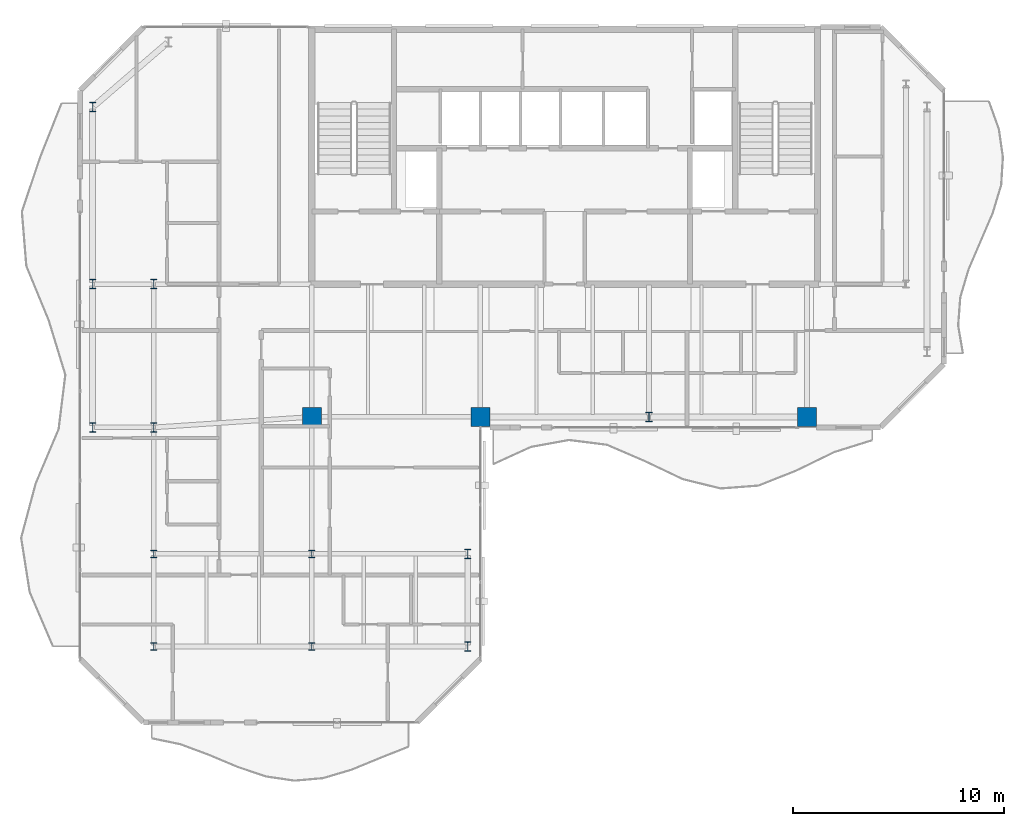
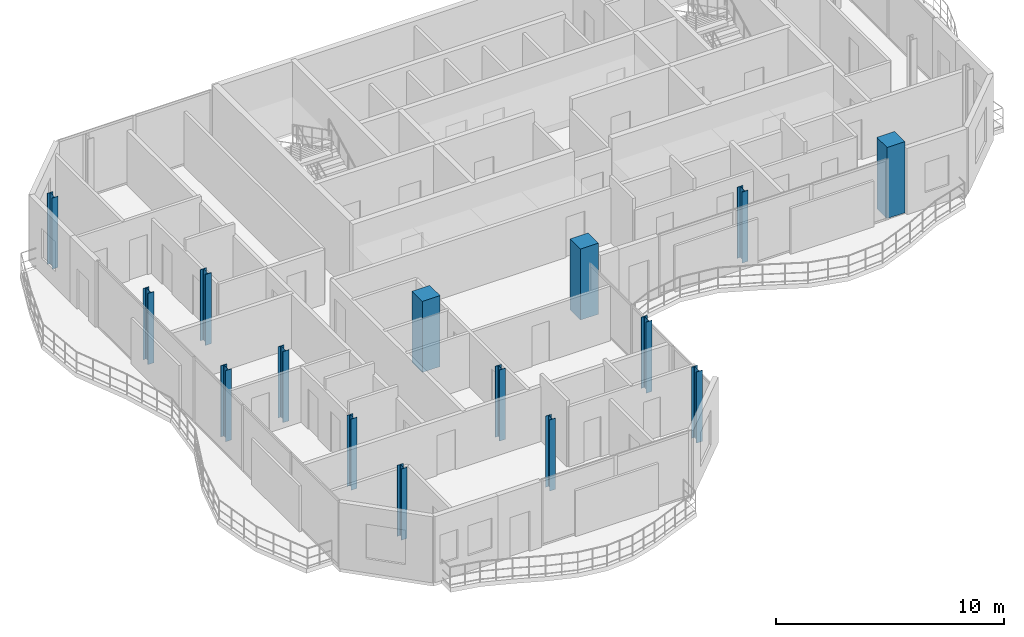
# One storey, part 1 of 22: 15 columns.
"""IFC4 building model written with IfcOpenShell, lengths in metres."""

import ifcopenshell
import ifcopenshell.guid

model = None  # the IFC model being written
_history = None  # IfcOwnerHistory: only IFC2X3 demands one
_inside = {}  # id of a spatial element -> (the spatial element, [elements in it])
_under = {}  # id of a project, library or spatial element -> (it, [spatial elements below it])
_declared = {}  # id of a project -> (the project, [libraries it declares])
_typed = {}  # id of a type object -> (the type object, [elements of that type])
_made_of = {}  # id of a material, layer set ... -> (it, [elements and type objects made of it])


def new_model(schema):
    """Start an empty IFC model of exactly this schema.

    Asked for "IFC4X3", IfcOpenShell would pick the latest addendum, in which some entities
    have other attributes; the version numbers below select the first issue.
    IFC2X3 requires an IfcOwnerHistory on every rooted entity: one is made here for all.
    """
    global model, _history
    if schema == "IFC4X3":
        model = ifcopenshell.file(schema_version=(4, 3, 0, 0))
    else:
        model = ifcopenshell.file(schema=schema)
    _inside.clear()
    _under.clear()
    _declared.clear()
    _typed.clear()
    _made_of.clear()
    _history = None
    if model.schema == "IFC2X3":
        org = make("IfcOrganization", Name="unknown")
        user = make(
            "IfcPersonAndOrganization",
            ThePerson=make("IfcPerson", FamilyName="unknown"),
            TheOrganization=org,
        )
        app = make(
            "IfcApplication",
            ApplicationDeveloper=org,
            Version="unknown",
            ApplicationFullName="unknown",
            ApplicationIdentifier="unknown",
        )
        _history = make(
            "IfcOwnerHistory",
            OwningUser=user,
            OwningApplication=app,
            ChangeAction="ADDED",
            CreationDate=0,
        )
    return model


def make(cls, **values):
    """One entity of the class cls with the attributes given. An attribute that is None is left unset."""
    return model.create_entity(
        cls, **{name: value for name, value in values.items() if value is not None}
    )


def rooted(cls, **values):
    """An entity with a GlobalId (a new one), such as an element, a storey or a relation."""
    return make(cls, GlobalId=ifcopenshell.guid.new(), OwnerHistory=_history, **values)


def si_unit(unit_type, name, prefix=None):
    """IfcSIUnit, for example si_unit("LENGTHUNIT", "METRE", prefix="MILLI")."""
    return make("IfcSIUnit", UnitType=unit_type, Prefix=prefix, Name=name)


def assignment(units):
    """IfcUnitAssignment: the units of a project."""
    return None if units is None else make("IfcUnitAssignment", Units=units)


def point(xyz):
    """IfcCartesianPoint."""
    return None if xyz is None else make("IfcCartesianPoint", Coordinates=xyz)


def direction(xyz):
    """IfcDirection."""
    return None if xyz is None else make("IfcDirection", DirectionRatios=xyz)


def frame(location, z_axis=None, x_axis=None):
    """IfcAxis2Placement3D, a coordinate frame: its origin and axes. An axis left out is left unset."""
    return make(
        "IfcAxis2Placement3D",
        Location=point(location),
        Axis=direction(z_axis),
        RefDirection=direction(x_axis),
    )


def frame_2d(location, x_axis=None):
    """IfcAxis2Placement2D, a coordinate frame in the plane: its origin and x axis."""
    return make(
        "IfcAxis2Placement2D", Location=point(location), RefDirection=direction(x_axis)
    )


def origin():
    """The frame at (0, 0, 0) with its axes left unset."""
    return frame((0.0, 0.0, 0.0))


def origin_2d():
    """The frame at (0, 0) in the plane with its x axis left unset."""
    return frame_2d((0.0, 0.0))


def place(relative_to, where):
    """IfcLocalPlacement: puts the frame where relative to a parent placement (None: the world)."""
    return make(
        "IfcLocalPlacement", PlacementRelTo=relative_to, RelativePlacement=where
    )


def context(
    kind, dimensions, precision=None, world=None, true_north=None, identifier=None
):
    """IfcGeometricRepresentationContext, for example the 3D "Model" context."""
    return make(
        "IfcGeometricRepresentationContext",
        ContextIdentifier=identifier,
        ContextType=kind,
        CoordinateSpaceDimension=dimensions,
        Precision=precision,
        WorldCoordinateSystem=world,
        TrueNorth=true_north,
    )


def subcontext(parent, identifier, kind, view, scale=None):
    """IfcGeometricRepresentationSubContext, for example "Body" below "Model"."""
    return make(
        "IfcGeometricRepresentationSubContext",
        ContextIdentifier=identifier,
        ContextType=kind,
        ParentContext=parent,
        TargetScale=scale,
        TargetView=view,
    )


def project(units=None, contexts=None):
    """IfcProject with its units and contexts."""
    return rooted(
        "IfcProject",
        Name="project",
        RepresentationContexts=contexts,
        UnitsInContext=assignment(units),
    )


def spatial(cls, under=None, at=None, **own):
    """A site, building, storey or space (cls), placed at a placement, below another one or the project."""
    s = rooted(cls, ObjectPlacement=at, **own)
    if under is not None:
        _under.setdefault(under.id(), (under, []))[1].append(s)
    return s


def profile(cls, at=None, kind="AREA", **sizes):
    """A parametric profile (cls). Its sizes go by their IFC names, for example OverallWidth=200.0."""
    return make(cls, ProfileType=kind, Position=at, **sizes)


def rectangle(**sizes):
    """IfcRectangleProfileDef."""
    return profile("IfcRectangleProfileDef", **sizes)


def i_section(**sizes):
    """IfcIShapeProfileDef."""
    return profile("IfcIShapeProfileDef", **sizes)


def extrude(swept, where, along, depth):
    """IfcExtrudedAreaSolid: the profile swept, set in the frame where, extruded along a direction by depth."""
    return make(
        "IfcExtrudedAreaSolid",
        SweptArea=swept,
        Position=where,
        ExtrudedDirection=direction(along),
        Depth=depth,
    )


def shape(context_of_items, identifier, shape_type, items):
    """IfcShapeRepresentation: the items that make up one representation, for example the "Body"."""
    return make(
        "IfcShapeRepresentation",
        ContextOfItems=context_of_items,
        RepresentationIdentifier=identifier,
        RepresentationType=shape_type,
        Items=items,
    )


def material(Name=None, Category=None):
    """IfcMaterial."""
    return make("IfcMaterial", Name=Name, Category=Category)


def material_profile(
    of_material, cross_section, Name=None, Category=None, Priority=None
):
    """IfcMaterialProfile: a cross section and its material."""
    return make(
        "IfcMaterialProfile",
        Name=Name,
        Material=of_material,
        Profile=cross_section,
        Priority=Priority,
        Category=Category,
    )


def profile_set(profiles, Name=None, composite=None):
    """IfcMaterialProfileSet."""
    return make(
        "IfcMaterialProfileSet",
        Name=Name,
        MaterialProfiles=profiles,
        CompositeProfile=composite,
    )


def made_of(thing, what):
    """Note that an element or type object is made of a material, layer set ...; save() writes the relation."""
    if what is not None:
        _made_of.setdefault(what.id(), (what, []))[1].append(thing)
    return thing


def type_object(cls, material=None, **own):
    """A type object (cls), such as IfcWallType, which elements share."""
    return made_of(rooted(cls, **own), material)


def element(
    cls,
    number,
    at=None,
    inside=None,
    cuts=None,
    type_object=None,
    material=None,
    context=None,
    identifier="Body",
    shape_type=None,
    held_by="IfcProductDefinitionShape",
    body=None,
    shapes=None,
    **own,
):
    """One element of the class cls, such as IfcWall. Its Tag is "e" and its number.

    at: its placement. inside: the storey or other place that contains it. cuts: it is an
    opening in that element (IfcRelVoidsElement). A single representation is given by context,
    identifier, shape_type and body (its items); several are given by shapes. held_by: the class
    of the entity that holds the representations. save() writes the other relations.
    """
    e = rooted(cls, Tag="e%d" % number, ObjectPlacement=at, **own)
    if body is not None:
        shapes = [shape(context, identifier, shape_type, body)]
    if shapes is not None:
        e.Representation = make(held_by, Representations=shapes)
    if inside is not None:
        _inside.setdefault(inside.id(), (inside, []))[1].append(e)
    if cuts is not None:
        rooted(
            "IfcRelVoidsElement", RelatingBuildingElement=cuts, RelatedOpeningElement=e
        )
    if type_object is not None:
        _typed.setdefault(type_object.id(), (type_object, []))[1].append(e)
    return made_of(e, material)


def aggregate(whole, parts):
    """IfcRelAggregates: a whole, such as a stair, and the parts it consists of."""
    return rooted("IfcRelAggregates", RelatingObject=whole, RelatedObjects=parts)


def save(model, path):
    """Write the relations noted so far, then the file.

    IfcRelAggregates (storeys below a building ...), IfcRelContainedInSpatialStructure (elements
    in a storey), IfcRelDefinesByType, IfcRelAssociatesMaterial and IfcRelDeclares: one each for
    every whole, place, type object, material and project.
    """
    for whole, parts in _under.values():
        aggregate(whole, parts)
    for where, things in _inside.values():
        rooted(
            "IfcRelContainedInSpatialStructure",
            RelatedElements=things,
            RelatingStructure=where,
        )
    for kind, things in _typed.values():
        rooted("IfcRelDefinesByType", RelatedObjects=things, RelatingType=kind)
    for what, things in _made_of.values():
        rooted("IfcRelAssociatesMaterial", RelatedObjects=things, RelatingMaterial=what)
    for by, libraries in _declared.values():
        rooted("IfcRelDeclares", RelatingContext=by, RelatedDefinitions=libraries)
    model.write(path)


model = new_model("IFC4")

# Units and contexts
model_context = context("Model", 3, precision=1e-05, world=origin(), true_north=direction((0.0, 1.0)))
body_context = subcontext(model_context, "Body", "Model", "MODEL_VIEW")
ifc_project = project(units=[si_unit("LENGTHUNIT", "METRE"), si_unit("AREAUNIT", "SQUARE_METRE"), si_unit("VOLUMEUNIT", "CUBIC_METRE"), si_unit("PLANEANGLEUNIT", "RADIAN"), si_unit("MASSUNIT", "GRAM", prefix="KILO")], contexts=[model_context])

# Site, building, storey
site_placement = place(None, origin())
site = spatial("IfcSite", under=ifc_project, at=site_placement, CompositionType="ELEMENT")
building_placement = place(site_placement, origin())
building = spatial("IfcBuilding", under=site, at=building_placement, Name="Catumbela Crestline Tower", CompositionType="ELEMENT")
storey_placement = place(building_placement, frame((0.0, 0.0, 218.4)))
storey = spatial("IfcBuildingStorey", under=building, at=storey_placement, Name="L56", CompositionType="ELEMENT", Elevation=218.4)

# Columns
ifc_material_1 = material(Name="Concrete C45/55", Category="concrete")
ifc_material_profile_1 = material_profile(ifc_material_1, rectangle(XDim=0.9, YDim=0.9, at=origin_2d()), Name="RC 900x900")
ifc_profile_set_1 = profile_set([ifc_material_profile_1], Name="Concrete C45/55")
column_type_1 = type_object("IfcColumnType", Name="C-RC900-C45", PredefinedType="COLUMN", material=ifc_profile_set_1)
for number, where, z_axis, x_axis, name in (
    (1, (16.0, 24.5, 0.0), (0.0, 0.0, 1.0), (1.0, 0.0, 0.0), "L56 Column C-16-24 (RC 900x900)"),
    (2, (24.0, 24.5, 0.0), (0.0, 0.0, 1.0), (1.0, 0.0, 0.0), "L56 Column C-24-24 (RC 900x900)"),
    (3, (39.5, 24.5, 0.0), (0.0, 0.0, 1.0), (1.0, 0.0, 0.0), "L56 Column C-40-24 (RC 900x900)"),
):
    element("IfcColumn", number, at=place(storey_placement, frame(where, z_axis=z_axis, x_axis=x_axis)), inside=storey, type_object=column_type_1, Name=name, PredefinedType="COLUMN", context=body_context, shape_type="SweptSolid", body=[
        extrude(rectangle(XDim=0.9, YDim=0.9, at=origin_2d()), origin(), (0.0, 0.0, 1.0), 3.8),
    ])
ifc_material_2 = material(Name="Structural steel S355J2", Category="steel")
ifc_material_profile_2 = material_profile(ifc_material_2, i_section(OverallWidth=0.3, OverallDepth=0.36, WebThickness=0.0125, FlangeThickness=0.0225, FilletRadius=0.027, at=origin_2d()), Name="HEB 360")
ifc_profile_set_2 = profile_set([ifc_material_profile_2], Name="Structural steel S355J2")
column_type_2 = type_object("IfcColumnType", Name="C-ST-HEB360", PredefinedType="COLUMN", material=ifc_profile_set_2)
for number, where, z_axis, x_axis, name in (
    (4, (8.5, 13.6, 0.0), (0.0, 0.0, 1.0), (1.0, 0.0, 0.0), "L56 Column CT-05-10 (HEB 360)"),
    (5, (16.0, 13.6, 0.0), (0.0, 0.0, 1.0), (1.0, 0.0, 0.0), "L56 Column CT-14-10 (HEB 360)"),
    (6, (8.5, 18.0, 0.0), (0.0, 0.0, 1.0), (1.0, 0.0, 0.0), "L56 Column CT-05-16 (HEB 360)"),
    (7, (16.0, 18.0, 0.0), (0.0, 0.0, 1.0), (1.0, 0.0, 0.0), "L56 Column CT-14-16 (HEB 360)"),
):
    element("IfcColumn", number, at=place(storey_placement, frame(where, z_axis=z_axis, x_axis=x_axis)), inside=storey, type_object=column_type_2, Name=name, PredefinedType="COLUMN", context=body_context, shape_type="SweptSolid", body=[
        extrude(i_section(OverallWidth=0.3, OverallDepth=0.36, WebThickness=0.0125, FlangeThickness=0.0225, FilletRadius=0.027, at=origin_2d()), origin(), (0.0, 0.0, 1.0), 3.8),
    ])
ifc_material_profile_3 = material_profile(ifc_material_2, i_section(OverallWidth=0.3, OverallDepth=0.45, WebThickness=0.014, FlangeThickness=0.026, FilletRadius=0.027, at=origin_2d()), Name="HEB 450")
ifc_profile_set_3 = profile_set([ifc_material_profile_3], Name="Structural steel S355J2")
column_type_3 = type_object("IfcColumnType", Name="C-ST-HEB450", PredefinedType="COLUMN", material=ifc_profile_set_3)
for number, where, z_axis, x_axis, name in (
    (8, (8.5, 24.0, 0.0), (0.0, 0.0, 1.0), (1.0, 0.0, 0.0), "L56 Column C-08-24 (HEB 450)"),
    (9, (32.0, 24.5, 0.0), (0.0, 0.0, 1.0), (1.0, 0.0, 0.0), "L56 Column C-32-24 (HEB 450)"),
    (10, (5.6, 24.0, 0.0), (0.0, 0.0, 1.0), (1.0, 0.0, 0.0), "L56 Column C-05-24 (HEB 450)"),
    (11, (5.6, 30.8, 0.0), (0.0, 0.0, 1.0), (1.0, 0.0, 0.0), "L56 Column C-05-31 (HEB 450)"),
    (12, (5.6, 39.2, 0.0), (0.0, 0.0, 1.0), (1.0, 0.0, 0.0), "L56 Column C-05-43 (HEB 450)"),
    (13, (8.5, 30.8, 0.0), (0.0, 0.0, 1.0), (1.0, 0.0, 0.0), "L56 Column C-08-31 (HEB 450)"),
    (14, (23.4, 13.6, 0.0), (0.0, 0.0, 1.0), (1.0, 0.0, 0.0), "L56 Column C-24-10 (HEB 450)"),
    (15, (23.4, 18.0, 0.0), (0.0, 0.0, 1.0), (1.0, 0.0, 0.0), "L56 Column C-24-16 (HEB 450)"),
):
    element("IfcColumn", number, at=place(storey_placement, frame(where, z_axis=z_axis, x_axis=x_axis)), inside=storey, type_object=column_type_3, Name=name, PredefinedType="COLUMN", context=body_context, shape_type="SweptSolid", body=[
        extrude(i_section(OverallWidth=0.3, OverallDepth=0.45, WebThickness=0.014, FlangeThickness=0.026, FilletRadius=0.027, at=origin_2d()), origin(), (0.0, 0.0, 1.0), 3.8),
    ])

save(model, "model.ifc")
